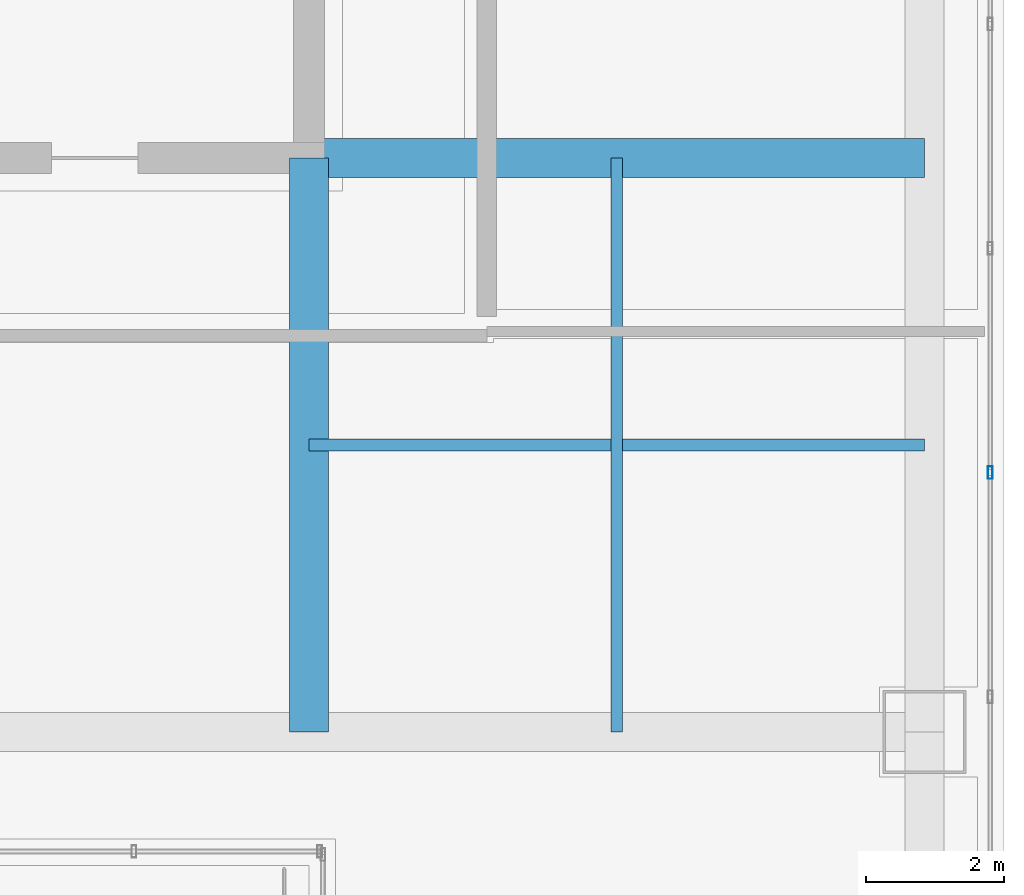
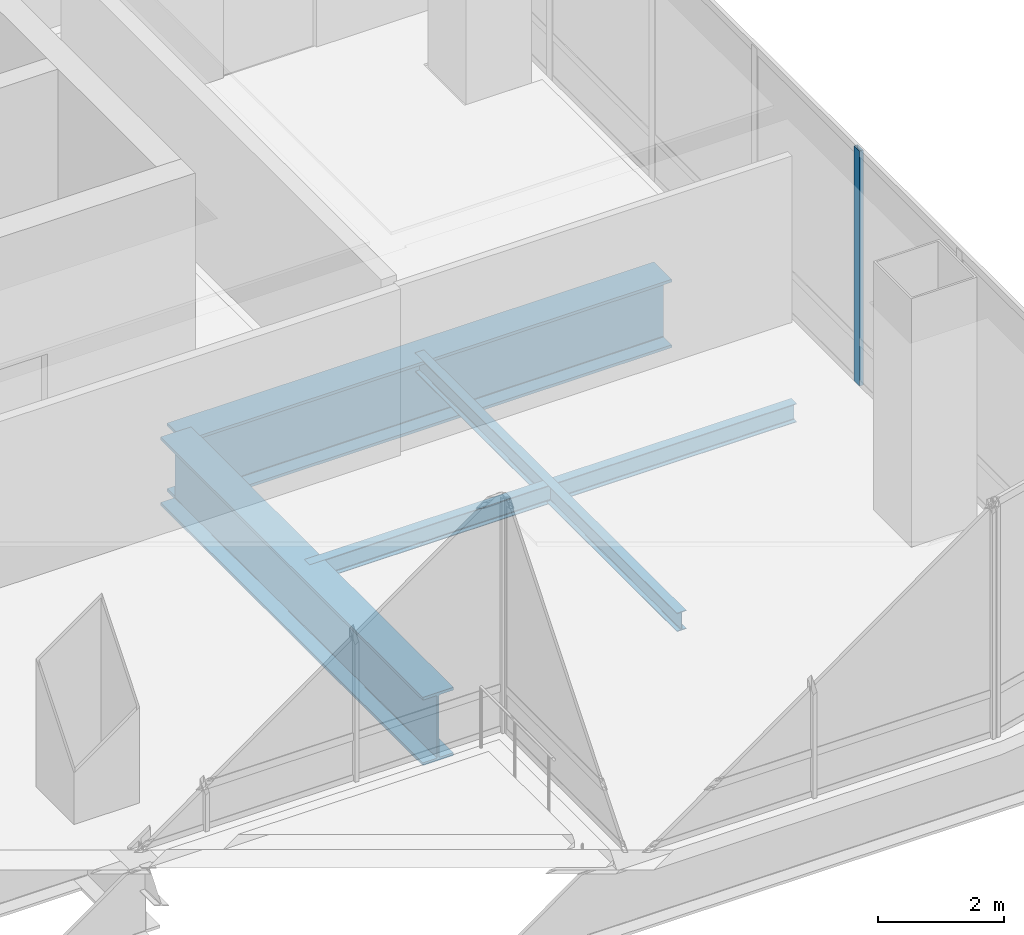
# One storey, part 19 of 44: 4 beams, 1 member, 1 element without a shape of its own.
"""IFC4 building model written with IfcOpenShell, lengths in metres."""

import ifcopenshell
import ifcopenshell.guid

model = None  # the IFC model being written
_history = None  # IfcOwnerHistory: only IFC2X3 demands one
_inside = {}  # id of a spatial element -> (the spatial element, [elements in it])
_under = {}  # id of a project, library or spatial element -> (it, [spatial elements below it])
_declared = {}  # id of a project -> (the project, [libraries it declares])
_typed = {}  # id of a type object -> (the type object, [elements of that type])
_made_of = {}  # id of a material, layer set ... -> (it, [elements and type objects made of it])


def new_model(schema):
    """Start an empty IFC model of exactly this schema.

    Asked for "IFC4X3", IfcOpenShell would pick the latest addendum, in which some entities
    have other attributes; the version numbers below select the first issue.
    IFC2X3 requires an IfcOwnerHistory on every rooted entity: one is made here for all.
    """
    global model, _history
    if schema == "IFC4X3":
        model = ifcopenshell.file(schema_version=(4, 3, 0, 0))
    else:
        model = ifcopenshell.file(schema=schema)
    _inside.clear()
    _under.clear()
    _declared.clear()
    _typed.clear()
    _made_of.clear()
    _history = None
    if model.schema == "IFC2X3":
        org = make("IfcOrganization", Name="unknown")
        user = make(
            "IfcPersonAndOrganization",
            ThePerson=make("IfcPerson", FamilyName="unknown"),
            TheOrganization=org,
        )
        app = make(
            "IfcApplication",
            ApplicationDeveloper=org,
            Version="unknown",
            ApplicationFullName="unknown",
            ApplicationIdentifier="unknown",
        )
        _history = make(
            "IfcOwnerHistory",
            OwningUser=user,
            OwningApplication=app,
            ChangeAction="ADDED",
            CreationDate=0,
        )
    return model


def make(cls, **values):
    """One entity of the class cls with the attributes given. An attribute that is None is left unset."""
    return model.create_entity(
        cls, **{name: value for name, value in values.items() if value is not None}
    )


def rooted(cls, **values):
    """An entity with a GlobalId (a new one), such as an element, a storey or a relation."""
    return make(cls, GlobalId=ifcopenshell.guid.new(), OwnerHistory=_history, **values)


def si_unit(unit_type, name, prefix=None):
    """IfcSIUnit, for example si_unit("LENGTHUNIT", "METRE", prefix="MILLI")."""
    return make("IfcSIUnit", UnitType=unit_type, Prefix=prefix, Name=name)


def assignment(units):
    """IfcUnitAssignment: the units of a project."""
    return None if units is None else make("IfcUnitAssignment", Units=units)


def point(xyz):
    """IfcCartesianPoint."""
    return None if xyz is None else make("IfcCartesianPoint", Coordinates=xyz)


def direction(xyz):
    """IfcDirection."""
    return None if xyz is None else make("IfcDirection", DirectionRatios=xyz)


def frame(location, z_axis=None, x_axis=None):
    """IfcAxis2Placement3D, a coordinate frame: its origin and axes. An axis left out is left unset."""
    return make(
        "IfcAxis2Placement3D",
        Location=point(location),
        Axis=direction(z_axis),
        RefDirection=direction(x_axis),
    )


def frame_2d(location, x_axis=None):
    """IfcAxis2Placement2D, a coordinate frame in the plane: its origin and x axis."""
    return make(
        "IfcAxis2Placement2D", Location=point(location), RefDirection=direction(x_axis)
    )


def origin():
    """The frame at (0, 0, 0) with its axes left unset."""
    return frame((0.0, 0.0, 0.0))


def origin_2d():
    """The frame at (0, 0) in the plane with its x axis left unset."""
    return frame_2d((0.0, 0.0))


def place(relative_to, where):
    """IfcLocalPlacement: puts the frame where relative to a parent placement (None: the world)."""
    return make(
        "IfcLocalPlacement", PlacementRelTo=relative_to, RelativePlacement=where
    )


def context(
    kind, dimensions, precision=None, world=None, true_north=None, identifier=None
):
    """IfcGeometricRepresentationContext, for example the 3D "Model" context."""
    return make(
        "IfcGeometricRepresentationContext",
        ContextIdentifier=identifier,
        ContextType=kind,
        CoordinateSpaceDimension=dimensions,
        Precision=precision,
        WorldCoordinateSystem=world,
        TrueNorth=true_north,
    )


def subcontext(parent, identifier, kind, view, scale=None):
    """IfcGeometricRepresentationSubContext, for example "Body" below "Model"."""
    return make(
        "IfcGeometricRepresentationSubContext",
        ContextIdentifier=identifier,
        ContextType=kind,
        ParentContext=parent,
        TargetScale=scale,
        TargetView=view,
    )


def project(units=None, contexts=None):
    """IfcProject with its units and contexts."""
    return rooted(
        "IfcProject",
        Name="project",
        RepresentationContexts=contexts,
        UnitsInContext=assignment(units),
    )


def spatial(cls, under=None, at=None, **own):
    """A site, building, storey or space (cls), placed at a placement, below another one or the project."""
    s = rooted(cls, ObjectPlacement=at, **own)
    if under is not None:
        _under.setdefault(under.id(), (under, []))[1].append(s)
    return s


def profile(cls, at=None, kind="AREA", **sizes):
    """A parametric profile (cls). Its sizes go by their IFC names, for example OverallWidth=200.0."""
    return make(cls, ProfileType=kind, Position=at, **sizes)


def hollow_rectangle(**sizes):
    """IfcRectangleHollowProfileDef."""
    return profile("IfcRectangleHollowProfileDef", **sizes)


def i_section(**sizes):
    """IfcIShapeProfileDef."""
    return profile("IfcIShapeProfileDef", **sizes)


def extrude(swept, where, along, depth):
    """IfcExtrudedAreaSolid: the profile swept, set in the frame where, extruded along a direction by depth."""
    return make(
        "IfcExtrudedAreaSolid",
        SweptArea=swept,
        Position=where,
        ExtrudedDirection=direction(along),
        Depth=depth,
    )


def shape(context_of_items, identifier, shape_type, items):
    """IfcShapeRepresentation: the items that make up one representation, for example the "Body"."""
    return make(
        "IfcShapeRepresentation",
        ContextOfItems=context_of_items,
        RepresentationIdentifier=identifier,
        RepresentationType=shape_type,
        Items=items,
    )


def material(Name=None, Category=None):
    """IfcMaterial."""
    return make("IfcMaterial", Name=Name, Category=Category)


def material_profile(
    of_material, cross_section, Name=None, Category=None, Priority=None
):
    """IfcMaterialProfile: a cross section and its material."""
    return make(
        "IfcMaterialProfile",
        Name=Name,
        Material=of_material,
        Profile=cross_section,
        Priority=Priority,
        Category=Category,
    )


def profile_set(profiles, Name=None, composite=None):
    """IfcMaterialProfileSet."""
    return make(
        "IfcMaterialProfileSet",
        Name=Name,
        MaterialProfiles=profiles,
        CompositeProfile=composite,
    )


def made_of(thing, what):
    """Note that an element or type object is made of a material, layer set ...; save() writes the relation."""
    if what is not None:
        _made_of.setdefault(what.id(), (what, []))[1].append(thing)
    return thing


def type_object(cls, material=None, **own):
    """A type object (cls), such as IfcWallType, which elements share."""
    return made_of(rooted(cls, **own), material)


def element(
    cls,
    number,
    at=None,
    inside=None,
    cuts=None,
    type_object=None,
    material=None,
    context=None,
    identifier="Body",
    shape_type=None,
    held_by="IfcProductDefinitionShape",
    body=None,
    shapes=None,
    **own,
):
    """One element of the class cls, such as IfcWall. Its Tag is "e" and its number.

    at: its placement. inside: the storey or other place that contains it. cuts: it is an
    opening in that element (IfcRelVoidsElement). A single representation is given by context,
    identifier, shape_type and body (its items); several are given by shapes. held_by: the class
    of the entity that holds the representations. save() writes the other relations.
    """
    e = rooted(cls, Tag="e%d" % number, ObjectPlacement=at, **own)
    if body is not None:
        shapes = [shape(context, identifier, shape_type, body)]
    if shapes is not None:
        e.Representation = make(held_by, Representations=shapes)
    if inside is not None:
        _inside.setdefault(inside.id(), (inside, []))[1].append(e)
    if cuts is not None:
        rooted(
            "IfcRelVoidsElement", RelatingBuildingElement=cuts, RelatedOpeningElement=e
        )
    if type_object is not None:
        _typed.setdefault(type_object.id(), (type_object, []))[1].append(e)
    return made_of(e, material)


def aggregate(whole, parts):
    """IfcRelAggregates: a whole, such as a stair, and the parts it consists of."""
    return rooted("IfcRelAggregates", RelatingObject=whole, RelatedObjects=parts)


def save(model, path):
    """Write the relations noted so far, then the file.

    IfcRelAggregates (storeys below a building ...), IfcRelContainedInSpatialStructure (elements
    in a storey), IfcRelDefinesByType, IfcRelAssociatesMaterial and IfcRelDeclares: one each for
    every whole, place, type object, material and project.
    """
    for whole, parts in _under.values():
        aggregate(whole, parts)
    for where, things in _inside.values():
        rooted(
            "IfcRelContainedInSpatialStructure",
            RelatedElements=things,
            RelatingStructure=where,
        )
    for kind, things in _typed.values():
        rooted("IfcRelDefinesByType", RelatedObjects=things, RelatingType=kind)
    for what, things in _made_of.values():
        rooted("IfcRelAssociatesMaterial", RelatedObjects=things, RelatingMaterial=what)
    for by, libraries in _declared.values():
        rooted("IfcRelDeclares", RelatingContext=by, RelatedDefinitions=libraries)
    model.write(path)


model = new_model("IFC4")

# Units and contexts
model_context = context("Model", 3, precision=1e-05, world=origin(), true_north=direction((0.0, 1.0)))
body_context = subcontext(model_context, "Body", "Model", "MODEL_VIEW")
ifc_project = project(units=[si_unit("LENGTHUNIT", "METRE"), si_unit("AREAUNIT", "SQUARE_METRE"), si_unit("VOLUMEUNIT", "CUBIC_METRE"), si_unit("PLANEANGLEUNIT", "RADIAN"), si_unit("MASSUNIT", "GRAM", prefix="KILO")], contexts=[model_context])

# Site, building, storey
site_placement = place(None, origin())
site = spatial("IfcSite", under=ifc_project, at=site_placement, CompositionType="ELEMENT")
building_placement = place(site_placement, origin())
building = spatial("IfcBuilding", under=site, at=building_placement, Name="Punatoya Terracotta Tower", CompositionType="ELEMENT")
storey_placement = place(building_placement, frame((0.0, 0.0, 334.199951171875)))
storey = spatial("IfcBuildingStorey", under=building, at=storey_placement, Name="L79", CompositionType="ELEMENT", Elevation=334.199951171875)

# Beams
ifc_material_1 = material(Name="Steel S355", Category="steel")
ifc_material_profile_1 = material_profile(ifc_material_1, i_section(OverallWidth=0.169921875, OverallDepth=0.360107421875, WebThickness=0.008056640625, FlangeThickness=0.0126953125, FilletRadius=0.01806640625, at=origin_2d()))
ifc_profile_set_1 = profile_set([ifc_material_profile_1], Name="Steel S355")
beam_type_1 = type_object("IfcBeamType", Name="BM-SEC-360", PredefinedType="JOIST", material=ifc_profile_set_1)
beam_1_placement = place(storey_placement, frame((10.199951171875, -13.35009765625, -0.43994140625), z_axis=(1.0, 0.0, 0.0), x_axis=(0.0, 1.0, 0.0)))
element("IfcBeam", 1, at=beam_1_placement, inside=storey, type_object=beam_type_1, Name="BM-L79-SJS-2", PredefinedType="JOIST", context=body_context, shape_type="SweptSolid", body=[
    extrude(i_section(OverallWidth=0.169921875, OverallDepth=0.360107421875, WebThickness=0.008056640625, FlangeThickness=0.0126953125, FilletRadius=0.01806640625, at=origin_2d()), origin(), (0.0, 0.0, 1.0), 8.900146484375),
])
beam_2_placement = place(storey_placement, frame((14.64990234375, -17.5, -0.43994140625), z_axis=(0.0, 1.0, 0.0), x_axis=(-1.0, 0.0, 0.0)))
element("IfcBeam", 2, at=beam_2_placement, inside=storey, type_object=beam_type_1, Name="BM-L79-SJE-1", PredefinedType="JOIST", context=body_context, shape_type="SweptSolid", body=[
    extrude(i_section(OverallWidth=0.169921875, OverallDepth=0.360107421875, WebThickness=0.008056640625, FlangeThickness=0.0126953125, FilletRadius=0.01806640625, at=origin_2d()), origin(), (0.0, 0.0, 1.0), 8.300048828125),
])
ifc_material_2 = material(Name="Steel S460", Category="steel")
ifc_material_profile_2 = material_profile(ifc_material_2, i_section(OverallWidth=0.56005859375, OverallDepth=1.320068359375, WebThickness=0.035888671875, FlangeThickness=0.054931640625, FilletRadius=0.01806640625, at=origin_2d()))
ifc_profile_set_2 = profile_set([ifc_material_profile_2], Name="Steel S460")
beam_type_2 = type_object("IfcBeamType", Name="BM-TG-BLK", PredefinedType="BEAM", material=ifc_profile_set_2)
beam_3_placement = place(storey_placement, frame((10.199951171875, -9.199951171875, -0.919921875), z_axis=(1.0, 0.0, 0.0), x_axis=(0.0, 1.0, 0.0)))
element("IfcBeam", 3, at=beam_3_placement, inside=storey, type_object=beam_type_2, Name="BM-L79-PR-ES", PredefinedType="BEAM", context=body_context, shape_type="SweptSolid", body=[
    extrude(i_section(OverallWidth=0.56005859375, OverallDepth=1.320068359375, WebThickness=0.035888671875, FlangeThickness=0.054931640625, FilletRadius=0.01806640625, at=origin_2d()), origin(), (0.0, 0.0, 1.0), 8.900146484375),
])
beam_4_placement = place(storey_placement, frame((10.199951171875, -17.5, -0.919921875), z_axis=(0.0, 1.0, 0.0), x_axis=(-1.0, 0.0, 0.0)))
element("IfcBeam", 4, at=beam_4_placement, inside=storey, type_object=beam_type_2, Name="BM-L79-PR-S4", PredefinedType="BEAM", context=body_context, shape_type="SweptSolid", body=[
    extrude(i_section(OverallWidth=0.56005859375, OverallDepth=1.320068359375, WebThickness=0.035888671875, FlangeThickness=0.054931640625, FilletRadius=0.01806640625, at=origin_2d()), origin(), (0.0, 0.0, 1.0), 8.300048828125),
])

# Curtain wall, member
ifc_material_3 = material(Name="Aluminium 6063-T6 + Double Low-E Glass", Category="aluminium")
curtain_wall_type = type_object("IfcCurtainWallType", Name="CW-OBS", PredefinedType="NOTDEFINED", material=ifc_material_3)
curtain_wall_placement = place(storey_placement, origin())
curtain_wall = element("IfcCurtainWall", 5, at=curtain_wall_placement, inside=storey, type_object=curtain_wall_type, Name="L79 Curtain Wall CW-L79-E10-1", PredefinedType="NOTDEFINED")
ifc_material_4 = material(Name="Aluminium 6063-T6", Category="aluminium")
ifc_material_profile_3 = material_profile(ifc_material_4, hollow_rectangle(XDim=0.070068359375, YDim=0.179931640625, WallThickness=0.00390625, at=origin_2d()))
ifc_profile_set_3 = profile_set([ifc_material_profile_3], Name="Aluminium 6063-T6")
member_type = type_object("IfcMemberType", Name="CW-MUL-M3", PredefinedType="MULLION", material=ifc_profile_set_3)
member_placement = place(storey_placement, frame((20.050048828125, -13.750732421875, 0.0), z_axis=(0.0, 0.0, 1.0), x_axis=(1.0, 0.0, 0.0)))
member = element("IfcMember", 6, at=member_placement, type_object=member_type, Name="CW-L79-E10-1 Mullion 02", PredefinedType="MULLION", context=body_context, shape_type="SweptSolid", body=[
    extrude(hollow_rectangle(XDim=0.070068359375, YDim=0.179931640625, WallThickness=0.00390625, at=origin_2d()), origin(), (0.0, 0.0, 1.0), 4.5400390625),
])
aggregate(curtain_wall, [member])

save(model, "model.ifc")
